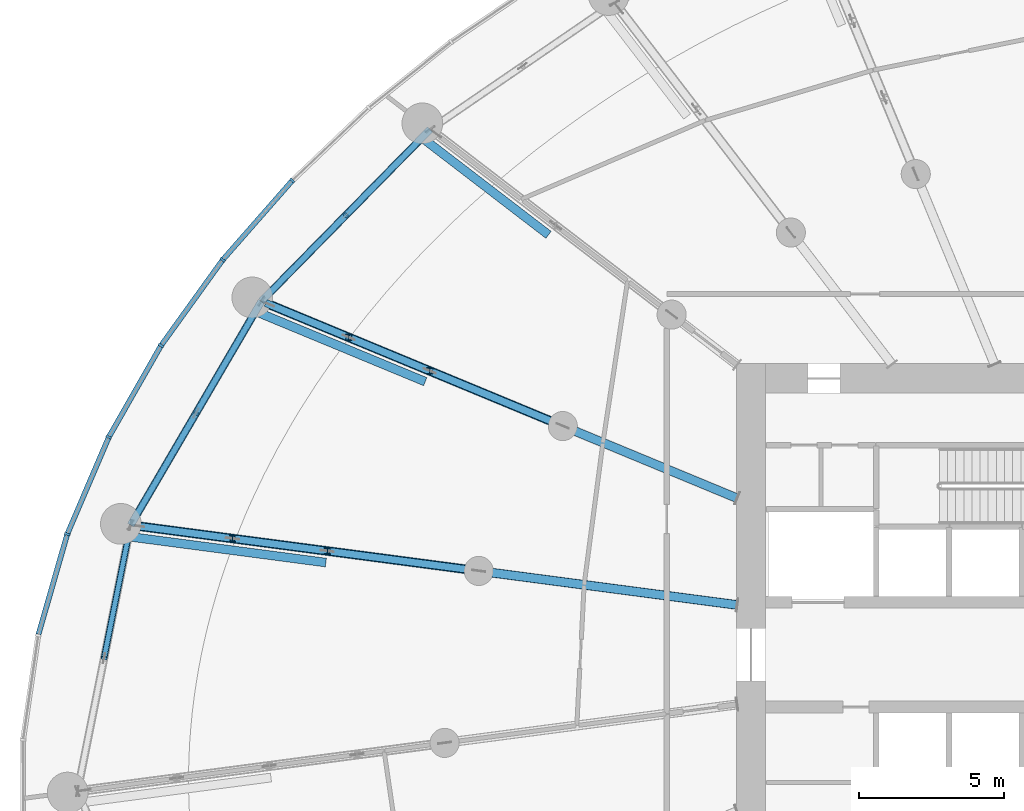
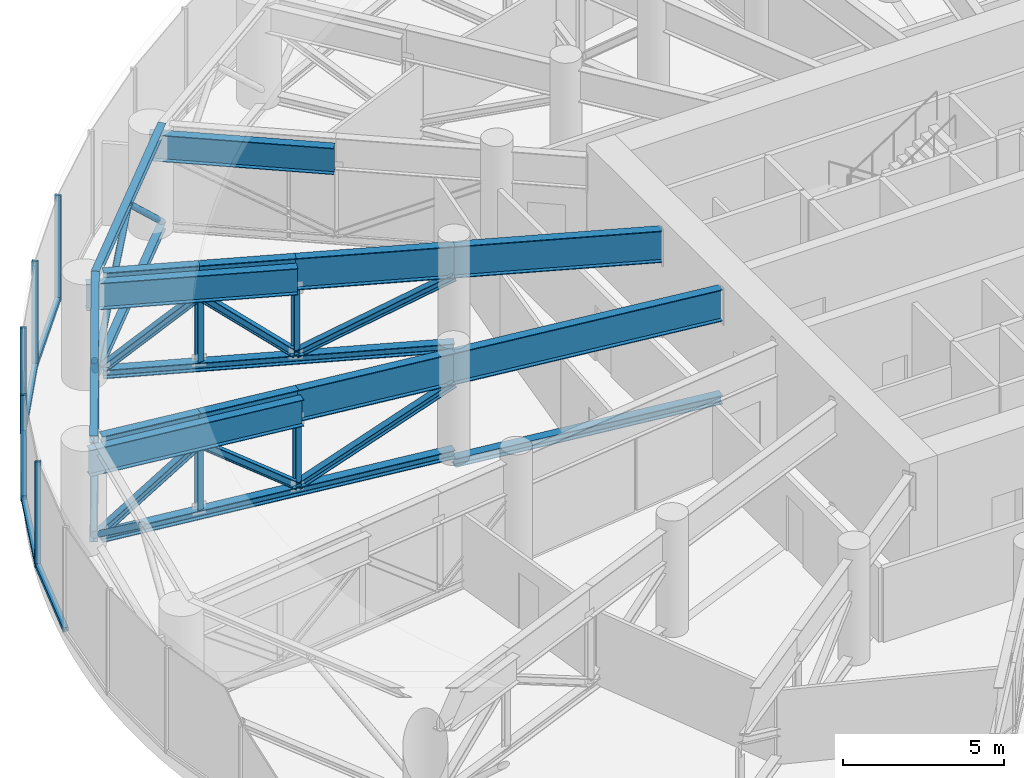
# One storey, part 10 of 42: 32 members, 11 beams, 2 elements without a shape of their own.
"""IFC4 building model written with IfcOpenShell, lengths in metres."""

import ifcopenshell
import ifcopenshell.guid

model = None  # the IFC model being written
_history = None  # IfcOwnerHistory: only IFC2X3 demands one
_inside = {}  # id of a spatial element -> (the spatial element, [elements in it])
_under = {}  # id of a project, library or spatial element -> (it, [spatial elements below it])
_declared = {}  # id of a project -> (the project, [libraries it declares])
_typed = {}  # id of a type object -> (the type object, [elements of that type])
_made_of = {}  # id of a material, layer set ... -> (it, [elements and type objects made of it])


def new_model(schema):
    """Start an empty IFC model of exactly this schema.

    Asked for "IFC4X3", IfcOpenShell would pick the latest addendum, in which some entities
    have other attributes; the version numbers below select the first issue.
    IFC2X3 requires an IfcOwnerHistory on every rooted entity: one is made here for all.
    """
    global model, _history
    if schema == "IFC4X3":
        model = ifcopenshell.file(schema_version=(4, 3, 0, 0))
    else:
        model = ifcopenshell.file(schema=schema)
    _inside.clear()
    _under.clear()
    _declared.clear()
    _typed.clear()
    _made_of.clear()
    _history = None
    if model.schema == "IFC2X3":
        org = make("IfcOrganization", Name="unknown")
        user = make(
            "IfcPersonAndOrganization",
            ThePerson=make("IfcPerson", FamilyName="unknown"),
            TheOrganization=org,
        )
        app = make(
            "IfcApplication",
            ApplicationDeveloper=org,
            Version="unknown",
            ApplicationFullName="unknown",
            ApplicationIdentifier="unknown",
        )
        _history = make(
            "IfcOwnerHistory",
            OwningUser=user,
            OwningApplication=app,
            ChangeAction="ADDED",
            CreationDate=0,
        )
    return model


def make(cls, **values):
    """One entity of the class cls with the attributes given. An attribute that is None is left unset."""
    return model.create_entity(
        cls, **{name: value for name, value in values.items() if value is not None}
    )


def rooted(cls, **values):
    """An entity with a GlobalId (a new one), such as an element, a storey or a relation."""
    return make(cls, GlobalId=ifcopenshell.guid.new(), OwnerHistory=_history, **values)


def si_unit(unit_type, name, prefix=None):
    """IfcSIUnit, for example si_unit("LENGTHUNIT", "METRE", prefix="MILLI")."""
    return make("IfcSIUnit", UnitType=unit_type, Prefix=prefix, Name=name)


def assignment(units):
    """IfcUnitAssignment: the units of a project."""
    return None if units is None else make("IfcUnitAssignment", Units=units)


def point(xyz):
    """IfcCartesianPoint."""
    return None if xyz is None else make("IfcCartesianPoint", Coordinates=xyz)


def direction(xyz):
    """IfcDirection."""
    return None if xyz is None else make("IfcDirection", DirectionRatios=xyz)


def frame(location, z_axis=None, x_axis=None):
    """IfcAxis2Placement3D, a coordinate frame: its origin and axes. An axis left out is left unset."""
    return make(
        "IfcAxis2Placement3D",
        Location=point(location),
        Axis=direction(z_axis),
        RefDirection=direction(x_axis),
    )


def frame_2d(location, x_axis=None):
    """IfcAxis2Placement2D, a coordinate frame in the plane: its origin and x axis."""
    return make(
        "IfcAxis2Placement2D", Location=point(location), RefDirection=direction(x_axis)
    )


def origin():
    """The frame at (0, 0, 0) with its axes left unset."""
    return frame((0.0, 0.0, 0.0))


def origin_2d():
    """The frame at (0, 0) in the plane with its x axis left unset."""
    return frame_2d((0.0, 0.0))


def place(relative_to, where):
    """IfcLocalPlacement: puts the frame where relative to a parent placement (None: the world)."""
    return make(
        "IfcLocalPlacement", PlacementRelTo=relative_to, RelativePlacement=where
    )


def context(
    kind, dimensions, precision=None, world=None, true_north=None, identifier=None
):
    """IfcGeometricRepresentationContext, for example the 3D "Model" context."""
    return make(
        "IfcGeometricRepresentationContext",
        ContextIdentifier=identifier,
        ContextType=kind,
        CoordinateSpaceDimension=dimensions,
        Precision=precision,
        WorldCoordinateSystem=world,
        TrueNorth=true_north,
    )


def subcontext(parent, identifier, kind, view, scale=None):
    """IfcGeometricRepresentationSubContext, for example "Body" below "Model"."""
    return make(
        "IfcGeometricRepresentationSubContext",
        ContextIdentifier=identifier,
        ContextType=kind,
        ParentContext=parent,
        TargetScale=scale,
        TargetView=view,
    )


def project(units=None, contexts=None):
    """IfcProject with its units and contexts."""
    return rooted(
        "IfcProject",
        Name="project",
        RepresentationContexts=contexts,
        UnitsInContext=assignment(units),
    )


def spatial(cls, under=None, at=None, **own):
    """A site, building, storey or space (cls), placed at a placement, below another one or the project."""
    s = rooted(cls, ObjectPlacement=at, **own)
    if under is not None:
        _under.setdefault(under.id(), (under, []))[1].append(s)
    return s


def profile(cls, at=None, kind="AREA", **sizes):
    """A parametric profile (cls). Its sizes go by their IFC names, for example OverallWidth=200.0."""
    return make(cls, ProfileType=kind, Position=at, **sizes)


def rectangle(**sizes):
    """IfcRectangleProfileDef."""
    return profile("IfcRectangleProfileDef", **sizes)


def hollow_circle(**sizes):
    """IfcCircleHollowProfileDef."""
    return profile("IfcCircleHollowProfileDef", **sizes)


def i_section(**sizes):
    """IfcIShapeProfileDef."""
    return profile("IfcIShapeProfileDef", **sizes)


def extrude(swept, where, along, depth):
    """IfcExtrudedAreaSolid: the profile swept, set in the frame where, extruded along a direction by depth."""
    return make(
        "IfcExtrudedAreaSolid",
        SweptArea=swept,
        Position=where,
        ExtrudedDirection=direction(along),
        Depth=depth,
    )


def shape(context_of_items, identifier, shape_type, items):
    """IfcShapeRepresentation: the items that make up one representation, for example the "Body"."""
    return make(
        "IfcShapeRepresentation",
        ContextOfItems=context_of_items,
        RepresentationIdentifier=identifier,
        RepresentationType=shape_type,
        Items=items,
    )


def source(mapping_origin, context_of_items, identifier, shape_type, items):
    """IfcRepresentationMap: a shape defined once, which mapped items show again and again."""
    return make(
        "IfcRepresentationMap",
        MappingOrigin=mapping_origin,
        MappedRepresentation=shape(context_of_items, identifier, shape_type, items),
    )


def transform(
    local_origin,
    x_axis=None,
    y_axis=None,
    z_axis=None,
    scale=None,
    scale2=None,
    scale3=None,
    uniform=True,
):
    """IfcCartesianTransformationOperator3D, or its non-uniform kind. x_axis, y_axis, z_axis: its Axis1, 2, 3."""
    if uniform:
        return make(
            "IfcCartesianTransformationOperator3D",
            Axis1=direction(x_axis),
            Axis2=direction(y_axis),
            LocalOrigin=point(local_origin),
            Scale=scale,
            Axis3=direction(z_axis),
        )
    return make(
        "IfcCartesianTransformationOperator3DnonUniform",
        Axis1=direction(x_axis),
        Axis2=direction(y_axis),
        LocalOrigin=point(local_origin),
        Scale=scale,
        Axis3=direction(z_axis),
        Scale2=scale2,
        Scale3=scale3,
    )


def mapped(mapping_source, mapping_target):
    """IfcMappedItem: shows the shape of a source again, moved by a transform."""
    return make(
        "IfcMappedItem", MappingSource=mapping_source, MappingTarget=mapping_target
    )


def material(Name=None, Category=None):
    """IfcMaterial."""
    return make("IfcMaterial", Name=Name, Category=Category)


def layer(
    of_material, thickness, ventilated=None, Name=None, Category=None, Priority=None
):
    """IfcMaterialLayer: one layer of a wall or slab, of a material (None: an air gap)."""
    return make(
        "IfcMaterialLayer",
        Material=of_material,
        LayerThickness=thickness,
        IsVentilated=ventilated,
        Name=Name,
        Category=Category,
        Priority=Priority,
    )


def layer_set(layers, Name=None):
    """IfcMaterialLayerSet."""
    return make("IfcMaterialLayerSet", MaterialLayers=layers, LayerSetName=Name)


def material_profile(
    of_material, cross_section, Name=None, Category=None, Priority=None
):
    """IfcMaterialProfile: a cross section and its material."""
    return make(
        "IfcMaterialProfile",
        Name=Name,
        Material=of_material,
        Profile=cross_section,
        Priority=Priority,
        Category=Category,
    )


def profile_set(profiles, Name=None, composite=None):
    """IfcMaterialProfileSet."""
    return make(
        "IfcMaterialProfileSet",
        Name=Name,
        MaterialProfiles=profiles,
        CompositeProfile=composite,
    )


def made_of(thing, what):
    """Note that an element or type object is made of a material, layer set ...; save() writes the relation."""
    if what is not None:
        _made_of.setdefault(what.id(), (what, []))[1].append(thing)
    return thing


def type_object(cls, material=None, **own):
    """A type object (cls), such as IfcWallType, which elements share."""
    return made_of(rooted(cls, **own), material)


def element(
    cls,
    number,
    at=None,
    inside=None,
    cuts=None,
    type_object=None,
    material=None,
    context=None,
    identifier="Body",
    shape_type=None,
    held_by="IfcProductDefinitionShape",
    body=None,
    shapes=None,
    **own,
):
    """One element of the class cls, such as IfcWall. Its Tag is "e" and its number.

    at: its placement. inside: the storey or other place that contains it. cuts: it is an
    opening in that element (IfcRelVoidsElement). A single representation is given by context,
    identifier, shape_type and body (its items); several are given by shapes. held_by: the class
    of the entity that holds the representations. save() writes the other relations.
    """
    e = rooted(cls, Tag="e%d" % number, ObjectPlacement=at, **own)
    if body is not None:
        shapes = [shape(context, identifier, shape_type, body)]
    if shapes is not None:
        e.Representation = make(held_by, Representations=shapes)
    if inside is not None:
        _inside.setdefault(inside.id(), (inside, []))[1].append(e)
    if cuts is not None:
        rooted(
            "IfcRelVoidsElement", RelatingBuildingElement=cuts, RelatedOpeningElement=e
        )
    if type_object is not None:
        _typed.setdefault(type_object.id(), (type_object, []))[1].append(e)
    return made_of(e, material)


def aggregate(whole, parts):
    """IfcRelAggregates: a whole, such as a stair, and the parts it consists of."""
    return rooted("IfcRelAggregates", RelatingObject=whole, RelatedObjects=parts)


def save(model, path):
    """Write the relations noted so far, then the file.

    IfcRelAggregates (storeys below a building ...), IfcRelContainedInSpatialStructure (elements
    in a storey), IfcRelDefinesByType, IfcRelAssociatesMaterial and IfcRelDeclares: one each for
    every whole, place, type object, material and project.
    """
    for whole, parts in _under.values():
        aggregate(whole, parts)
    for where, things in _inside.values():
        rooted(
            "IfcRelContainedInSpatialStructure",
            RelatedElements=things,
            RelatingStructure=where,
        )
    for kind, things in _typed.values():
        rooted("IfcRelDefinesByType", RelatedObjects=things, RelatingType=kind)
    for what, things in _made_of.values():
        rooted("IfcRelAssociatesMaterial", RelatedObjects=things, RelatingMaterial=what)
    for by, libraries in _declared.values():
        rooted("IfcRelDeclares", RelatingContext=by, RelatedDefinitions=libraries)
    model.write(path)


model = new_model("IFC4")

# Units and contexts
model_context = context("Model", 3, precision=1e-05, world=origin(), true_north=direction((0.0, 1.0)))
body_context = subcontext(model_context, "Body", "Model", "MODEL_VIEW")
ifc_project = project(units=[si_unit("LENGTHUNIT", "METRE"), si_unit("AREAUNIT", "SQUARE_METRE"), si_unit("VOLUMEUNIT", "CUBIC_METRE"), si_unit("PLANEANGLEUNIT", "RADIAN"), si_unit("MASSUNIT", "GRAM", prefix="KILO")], contexts=[model_context])

# Site, building, storey
site_placement = place(None, origin())
site = spatial("IfcSite", under=ifc_project, at=site_placement, CompositionType="ELEMENT")
building_placement = place(site_placement, origin())
building = spatial("IfcBuilding", under=site, at=building_placement, Name="Spindrift Exchange Tower", CompositionType="ELEMENT")
storey_placement = place(building_placement, frame((0.0, 0.0, 75.39990234375)))
storey = spatial("IfcBuildingStorey", under=building, at=storey_placement, Name="L17", CompositionType="ELEMENT", Elevation=75.39990234375)

# Members
ifc_material_1 = material(Name="Steel Grade 300", Category="steel")
ifc_material_profile_1 = material_profile(ifc_material_1, i_section(OverallWidth=0.205078125, OverallDepth=0.2099609375, WebThickness=0.00927734375, FlangeThickness=0.01416015625, FilletRadius=0.012939453125, at=origin_2d()), Name="200UC59.5")
ifc_profile_set_1 = profile_set([ifc_material_profile_1], Name="Steel Grade 300")
member_type_1 = type_object("IfcMemberType", Name="Outrigger Truss Post 200UC59.5 Steel Grade 300", PredefinedType="POST", material=ifc_profile_set_1)
shared_shape_1 = source(origin(), body_context, "Body", "SweptSolid", [
    extrude(i_section(OverallWidth=0.205078125, OverallDepth=0.2099609375, WebThickness=0.00927734375, FlangeThickness=0.01416015625, FilletRadius=0.012939453125, at=origin_2d()), origin(), (0.0, 0.0, 1.0), 2.472900390625),
])
for number, where, z_axis, x_axis, name in (
    (1, (28.4521484375, 57.75390625, 0.3271484375), (0.0, 0.0, 1.0), (1.0, 0.0, 0.0), "L17 outrigger truss 11 post 2"),
    (2, (25.671875, 58.905517578125, 0.3271484375), (0.0, 0.0, 1.0), (1.0, 0.0, 0.0), "L17 outrigger truss 11 post 3"),
    (3, (24.935546875, 51.56298828125, 0.3271484375), (0.0, 0.0, 1.0), (1.0, 0.0, 0.0), "L17 outrigger truss 12 post 2"),
    (4, (21.6748046875, 51.992431640625, 0.3271484375), (0.0, 0.0, 1.0), (1.0, 0.0, 0.0), "L17 outrigger truss 12 post 3"),
):
    element("IfcMember", number, at=place(storey_placement, frame(where, z_axis=z_axis, x_axis=x_axis)), inside=storey, type_object=member_type_1, Name=name, PredefinedType="POST", context=body_context, shape_type="MappedRepresentation", body=[
        mapped(shared_shape_1, transform((0.0, 0.0, 0.0), scale=1.0)),
    ])

# Beams
ifc_material_profile_2 = material_profile(ifc_material_1, i_section(OverallWidth=0.300048828125, OverallDepth=1.199951171875, WebThickness=0.011962890625, FlangeThickness=0.028076171875, at=origin_2d()), Name="1200WB249")
ifc_profile_set_2 = profile_set([ifc_material_profile_2], Name="Steel Grade 300")
beam_type_1 = type_object("IfcBeamType", Name="Outrigger Truss Transfer Girder 1200WB249 Steel Grade 300", PredefinedType="BEAM", material=ifc_profile_set_2)
shared_shape_2 = source(origin(), body_context, "Body", "SweptSolid", [
    extrude(i_section(OverallWidth=0.300048828125, OverallDepth=1.199951171875, WebThickness=0.011962890625, FlangeThickness=0.028076171875, at=origin_2d()), origin(), (0.0, 0.0, 1.0), 6.484619140625),
])
beam_1_placement = place(storey_placement, frame((39.0185546875, 53.377197265625, 3.400146484375), z_axis=(-0.923884678616, 0.382671008332, 0.0), x_axis=(-0.382671008332, -0.923884678616, 0.0)))
element("IfcBeam", 5, at=beam_1_placement, inside=storey, type_object=beam_type_1, Name="L17 outrigger truss 11 top chord 1", PredefinedType="BEAM", context=body_context, shape_type="MappedRepresentation", body=[
    mapped(shared_shape_2, transform((0.0, 0.0, 0.0), scale=1.0)),
])
shared_shape_3 = source(origin(), body_context, "Body", "SweptSolid", [
    extrude(i_section(OverallWidth=0.300048828125, OverallDepth=1.199951171875, WebThickness=0.011962890625, FlangeThickness=0.028076171875, at=origin_2d()), origin(), (0.0, 0.0, 1.0), 4.952392578125),
])
beam_2_placement = place(storey_placement, frame((33.027587890625, 55.858642578125, 3.400146484375), z_axis=(-0.923875634829, 0.382692842067, 0.0), x_axis=(-0.382692842067, -0.923875634829, 0.0)))
element("IfcBeam", 6, at=beam_2_placement, inside=storey, type_object=beam_type_1, Name="L17 outrigger truss 11 top chord 2", PredefinedType="BEAM", context=body_context, shape_type="MappedRepresentation", body=[
    mapped(shared_shape_3, transform((0.0, 0.0, 0.0), scale=1.0)),
])

# Members
ifc_material_profile_3 = material_profile(ifc_material_1, i_section(OverallWidth=0.31103515625, OverallDepth=0.326904296875, WebThickness=0.015625, FlangeThickness=0.02490234375, FilletRadius=0.0166015625, at=origin_2d()), Name="310UC158")
ifc_profile_set_3 = profile_set([ifc_material_profile_3], Name="Steel Grade 300")
member_type_2 = type_object("IfcMemberType", Name="Outrigger Truss Chord 310UC158 Steel Grade 300", PredefinedType="CHORD", material=ifc_profile_set_3)
shared_shape_4 = source(origin(), body_context, "Body", "SweptSolid", [
    extrude(i_section(OverallWidth=0.31103515625, OverallDepth=0.326904296875, WebThickness=0.015625, FlangeThickness=0.02490234375, FilletRadius=0.0166015625, at=origin_2d()), origin(), (0.0, 0.0, 1.0), 10.971435546875),
])
member_1_placement = place(storey_placement, frame((33.027587890625, 55.858642578125, 0.16357421875), z_axis=(-0.923882039717, 0.382677379378, 0.0), x_axis=(-0.382677379378, -0.923882039717, 0.0)))
element("IfcMember", 7, at=member_1_placement, inside=storey, type_object=member_type_2, Name="L17 outrigger truss 11 bottom chord 2", PredefinedType="CHORD", context=body_context, shape_type="MappedRepresentation", body=[
    mapped(shared_shape_4, transform((0.0, 0.0, 0.0), scale=1.0)),
])
ifc_material_profile_4 = material_profile(ifc_material_1, i_section(OverallWidth=0.256103515625, OverallDepth=0.260009765625, WebThickness=0.010498046875, FlangeThickness=0.017333984375, FilletRadius=0.011962890625, at=origin_2d()), Name="250UC89.5")
ifc_profile_set_4 = profile_set([ifc_material_profile_4], Name="Steel Grade 300")
member_type_3 = type_object("IfcMemberType", Name="Outrigger Truss Diagonal 250UC89.5 Steel Grade 300", PredefinedType="BRACE", material=ifc_profile_set_4)
shared_shape_5 = source(origin(), body_context, "Body", "SweptSolid", [
    extrude(i_section(OverallWidth=0.256103515625, OverallDepth=0.260009765625, WebThickness=0.010498046875, FlangeThickness=0.017333984375, FilletRadius=0.011962890625, at=origin_2d()), origin(), (0.0, 0.0, 1.0), 5.535400390625),
])
member_2_placement = place(storey_placement, frame((33.027587890625, 55.858642578125, 2.800048828125), z_axis=(-0.826561015802, 0.342382645839, -0.446733713732), x_axis=(-0.382692842067, -0.923875634829, 0.0)))
element("IfcMember", 8, at=member_2_placement, inside=storey, type_object=member_type_3, Name="L17 outrigger truss 11 diagonal 2", PredefinedType="BRACE", context=body_context, shape_type="MappedRepresentation", body=[
    mapped(shared_shape_5, transform((0.0, 0.0, 0.0), scale=1.0)),
])

# Beam
shared_shape_6 = source(origin(), body_context, "Body", "SweptSolid", [
    extrude(i_section(OverallWidth=0.300048828125, OverallDepth=1.199951171875, WebThickness=0.011962890625, FlangeThickness=0.028076171875, at=origin_2d()), origin(), (0.0, 0.0, 1.0), 3.00927734375),
])
beam_3_placement = place(storey_placement, frame((28.4521484375, 57.75390625, 3.400146484375), z_axis=(-0.923881369595, 0.382678997223, 0.0), x_axis=(-0.382678997223, -0.923881369595, 0.0)))
element("IfcBeam", 9, at=beam_3_placement, inside=storey, type_object=beam_type_1, Name="L17 outrigger truss 11 top chord 3", PredefinedType="BEAM", context=body_context, shape_type="MappedRepresentation", body=[
    mapped(shared_shape_6, transform((0.0, 0.0, 0.0), scale=1.0)),
])

# Member
shared_shape_7 = source(origin(), body_context, "Body", "SweptSolid", [
    extrude(i_section(OverallWidth=0.256103515625, OverallDepth=0.260009765625, WebThickness=0.010498046875, FlangeThickness=0.017333984375, FilletRadius=0.011962890625, at=origin_2d()), origin(), (0.0, 0.0, 1.0), 3.89501953125),
])
member_3_placement = place(storey_placement, frame((28.4521484375, 57.75390625, 0.3271484375), z_axis=(-0.713797753178, 0.295660695622, 0.634883863886), x_axis=(-0.382678997223, -0.923881369595, 0.0)))
element("IfcMember", 10, at=member_3_placement, inside=storey, type_object=member_type_3, Name="L17 outrigger truss 11 diagonal 3", PredefinedType="BRACE", context=body_context, shape_type="MappedRepresentation", body=[
    mapped(shared_shape_7, transform((0.0, 0.0, 0.0), scale=1.0)),
])

# Beam
shared_shape_8 = source(origin(), body_context, "Body", "SweptSolid", [
    extrude(i_section(OverallWidth=0.300048828125, OverallDepth=1.199951171875, WebThickness=0.011962890625, FlangeThickness=0.028076171875, at=origin_2d()), origin(), (0.0, 0.0, 1.0), 3.009521484375),
])
beam_4_placement = place(storey_placement, frame((25.671875, 58.905517578125, 3.400146484375), z_axis=(-0.923893248849, 0.382650316518, 0.0), x_axis=(-0.382650316518, -0.923893248849, 0.0)))
element("IfcBeam", 11, at=beam_4_placement, inside=storey, type_object=beam_type_1, Name="L17 outrigger truss 11 top chord 4", PredefinedType="BEAM", context=body_context, shape_type="MappedRepresentation", body=[
    mapped(shared_shape_8, transform((0.0, 0.0, 0.0), scale=1.0)),
])

# Member
shared_shape_9 = source(origin(), body_context, "Body", "SweptSolid", [
    extrude(i_section(OverallWidth=0.256103515625, OverallDepth=0.260009765625, WebThickness=0.010498046875, FlangeThickness=0.017333984375, FilletRadius=0.011962890625, at=origin_2d()), origin(), (0.0, 0.0, 1.0), 3.895263671875),
])
member_4_placement = place(storey_placement, frame((25.671875, 58.905517578125, 2.800048828125), z_axis=(-0.713828495111, 0.295647467858, -0.634855459389), x_axis=(-0.382650316518, -0.923893248849, 0.0)))
element("IfcMember", 12, at=member_4_placement, inside=storey, type_object=member_type_3, Name="L17 outrigger truss 11 diagonal 4", PredefinedType="BRACE", context=body_context, shape_type="MappedRepresentation", body=[
    mapped(shared_shape_9, transform((0.0, 0.0, 0.0), scale=1.0)),
])

# Beam
shared_shape_10 = source(origin(), body_context, "Body", "SweptSolid", [
    extrude(i_section(OverallWidth=0.300048828125, OverallDepth=1.199951171875, WebThickness=0.011962890625, FlangeThickness=0.028076171875, at=origin_2d()), origin(), (0.0, 0.0, 1.0), 8.959716796875),
])
beam_5_placement = place(storey_placement, frame((39.019775390625, 49.708984375, 3.400146484375), z_axis=(-0.991445482422, 0.130521474806, 0.0), x_axis=(-0.130521474806, -0.991445482422, 0.0)))
element("IfcBeam", 13, at=beam_5_placement, inside=storey, type_object=beam_type_1, Name="L17 outrigger truss 12 top chord 1", PredefinedType="BEAM", context=body_context, shape_type="MappedRepresentation", body=[
    mapped(shared_shape_10, transform((0.0, 0.0, 0.0), scale=1.0)),
])

# Member
shared_shape_11 = source(origin(), body_context, "Body", "SweptSolid", [
    extrude(i_section(OverallWidth=0.31103515625, OverallDepth=0.326904296875, WebThickness=0.015625, FlangeThickness=0.02490234375, FilletRadius=0.0166015625, at=origin_2d()), origin(), (0.0, 0.0, 1.0), 8.959716796875),
])
member_5_placement = place(storey_placement, frame((39.019775390625, 49.708984375, -0.163330078125), z_axis=(-0.991445482422, 0.130521474806, 0.0), x_axis=(-0.130521474806, -0.991445482422, 0.0)))
element("IfcMember", 14, at=member_5_placement, inside=storey, type_object=member_type_2, Name="L17 outrigger truss 12 bottom chord 1", PredefinedType="CHORD", context=body_context, shape_type="MappedRepresentation", body=[
    mapped(shared_shape_11, transform((0.0, 0.0, 0.0), scale=1.0)),
])

# Beam
shared_shape_12 = source(origin(), body_context, "Body", "SweptSolid", [
    extrude(i_section(OverallWidth=0.300048828125, OverallDepth=1.199951171875, WebThickness=0.011962890625, FlangeThickness=0.028076171875, at=origin_2d()), origin(), (0.0, 0.0, 1.0), 5.24609375),
])
beam_6_placement = place(storey_placement, frame((30.13671875, 50.87841796875, 3.400146484375), z_axis=(-0.991449225967, 0.130493035562, 0.0), x_axis=(-0.130493035562, -0.991449225967, 0.0)))
element("IfcBeam", 15, at=beam_6_placement, inside=storey, type_object=beam_type_1, Name="L17 outrigger truss 12 top chord 2", PredefinedType="BEAM", context=body_context, shape_type="MappedRepresentation", body=[
    mapped(shared_shape_12, transform((0.0, 0.0, 0.0), scale=1.0)),
])

# Members
shared_shape_13 = source(origin(), body_context, "Body", "SweptSolid", [
    extrude(i_section(OverallWidth=0.31103515625, OverallDepth=0.326904296875, WebThickness=0.015625, FlangeThickness=0.02490234375, FilletRadius=0.0166015625, at=origin_2d()), origin(), (0.0, 0.0, 1.0), 11.823974609375),
])
member_6_placement = place(storey_placement, frame((30.13671875, 50.87841796875, 0.16357421875), z_axis=(-0.991446352236, 0.130514867495, 0.0), x_axis=(-0.130514867495, -0.991446352236, 0.0)))
element("IfcMember", 16, at=member_6_placement, inside=storey, type_object=member_type_2, Name="L17 outrigger truss 12 bottom chord 2", PredefinedType="CHORD", context=body_context, shape_type="MappedRepresentation", body=[
    mapped(shared_shape_13, transform((0.0, 0.0, 0.0), scale=1.0)),
])
shared_shape_14 = source(origin(), body_context, "Body", "SweptSolid", [
    extrude(i_section(OverallWidth=0.256103515625, OverallDepth=0.260009765625, WebThickness=0.010498046875, FlangeThickness=0.017333984375, FilletRadius=0.011962890625, at=origin_2d()), origin(), (0.0, 0.0, 1.0), 5.799560546875),
])
member_7_placement = place(storey_placement, frame((30.13671875, 50.87841796875, 2.800048828125), z_axis=(-0.896806268139, 0.118036273745, -0.42638709585), x_axis=(-0.130493035562, -0.991449225967, 0.0)))
element("IfcMember", 17, at=member_7_placement, inside=storey, type_object=member_type_3, Name="L17 outrigger truss 12 diagonal 2", PredefinedType="BRACE", context=body_context, shape_type="MappedRepresentation", body=[
    mapped(shared_shape_14, transform((0.0, 0.0, 0.0), scale=1.0)),
])

# Beam
shared_shape_15 = source(origin(), body_context, "Body", "SweptSolid", [
    extrude(i_section(OverallWidth=0.300048828125, OverallDepth=1.199951171875, WebThickness=0.011962890625, FlangeThickness=0.028076171875, at=origin_2d()), origin(), (0.0, 0.0, 1.0), 3.288818359375),
])
beam_7_placement = place(storey_placement, frame((24.935546875, 51.56298828125, 3.400146484375), z_axis=(-0.991438623433, 0.130573565335, 0.0), x_axis=(-0.130573565335, -0.991438623433, 0.0)))
element("IfcBeam", 18, at=beam_7_placement, inside=storey, type_object=beam_type_1, Name="L17 outrigger truss 12 top chord 3", PredefinedType="BEAM", context=body_context, shape_type="MappedRepresentation", body=[
    mapped(shared_shape_15, transform((0.0, 0.0, 0.0), scale=1.0)),
])

# Member
shared_shape_16 = source(origin(), body_context, "Body", "SweptSolid", [
    extrude(i_section(OverallWidth=0.256103515625, OverallDepth=0.260009765625, WebThickness=0.010498046875, FlangeThickness=0.017333984375, FilletRadius=0.011962890625, at=origin_2d()), origin(), (0.0, 0.0, 1.0), 4.11474609375),
])
member_8_placement = place(storey_placement, frame((24.935546875, 51.56298828125, 0.3271484375), z_axis=(-0.792430314964, 0.104363950586, 0.600967854168), x_axis=(-0.130573565335, -0.991438623433, 0.0)))
element("IfcMember", 19, at=member_8_placement, inside=storey, type_object=member_type_3, Name="L17 outrigger truss 12 diagonal 3", PredefinedType="BRACE", context=body_context, shape_type="MappedRepresentation", body=[
    mapped(shared_shape_16, transform((0.0, 0.0, 0.0), scale=1.0)),
])

# Beam
shared_shape_17 = source(origin(), body_context, "Body", "SweptSolid", [
    extrude(i_section(OverallWidth=0.300048828125, OverallDepth=1.199951171875, WebThickness=0.011962890625, FlangeThickness=0.028076171875, at=origin_2d()), origin(), (0.0, 0.0, 1.0), 3.2890625),
])
beam_8_placement = place(storey_placement, frame((21.6748046875, 51.992431640625, 3.400146484375), z_axis=(-0.991449494626, 0.130490994351, 0.0), x_axis=(-0.130490994351, -0.991449494626, 0.0)))
element("IfcBeam", 20, at=beam_8_placement, inside=storey, type_object=beam_type_1, Name="L17 outrigger truss 12 top chord 4", PredefinedType="BEAM", context=body_context, shape_type="MappedRepresentation", body=[
    mapped(shared_shape_17, transform((0.0, 0.0, 0.0), scale=1.0)),
])

# Members
shared_shape_18 = source(origin(), body_context, "Body", "SweptSolid", [
    extrude(i_section(OverallWidth=0.256103515625, OverallDepth=0.260009765625, WebThickness=0.010498046875, FlangeThickness=0.017333984375, FilletRadius=0.011962890625, at=origin_2d()), origin(), (0.0, 0.0, 1.0), 4.114990234375),
])
member_9_placement = place(storey_placement, frame((21.6748046875, 51.992431640625, 2.800048828125), z_axis=(-0.79245729301, 0.104300360943, -0.600943319675), x_axis=(-0.130490994351, -0.991449494626, 0.0)))
element("IfcMember", 21, at=member_9_placement, inside=storey, type_object=member_type_3, Name="L17 outrigger truss 12 diagonal 4", PredefinedType="BRACE", context=body_context, shape_type="MappedRepresentation", body=[
    mapped(shared_shape_18, transform((0.0, 0.0, 0.0), scale=1.0)),
])
ifc_material_profile_5 = material_profile(ifc_material_1, i_section(OverallWidth=0.256103515625, OverallDepth=0.260009765625, WebThickness=0.010498046875, FlangeThickness=0.017333984375, FilletRadius=0.011962890625, at=origin_2d()), Name="250UC89.5")
ifc_profile_set_5 = profile_set([ifc_material_profile_5], Name="Steel Grade 300")
member_type_4 = type_object("IfcMemberType", Name="Belt Truss Chord 250UC89.5 Steel Grade 300", PredefinedType="CHORD", material=ifc_profile_set_5)
shared_shape_19 = source(origin(), body_context, "Body", "SweptSolid", [
    extrude(i_section(OverallWidth=0.256103515625, OverallDepth=0.260009765625, WebThickness=0.010498046875, FlangeThickness=0.017333984375, FilletRadius=0.011962890625, at=origin_2d()), origin(), (0.0, 0.0, 1.0), 8.27783203125),
])
for number, where, z_axis, x_axis, name in (
    (22, (28.468994140625, 66.055908203125, 3.8701171875), (-0.700588441745, -0.713565578832, 0.0), (0.713565578832, -0.700588441745, 0.0), "L17 belt truss 10 top chord"),
    (23, (28.468994140625, 66.055908203125, 0.130126953125), (-0.700588441745, -0.713565578832, 0.0), (0.713565578832, -0.700588441745, 0.0), "L17 belt truss 10 bottom chord"),
):
    element("IfcMember", number, at=place(storey_placement, frame(where, z_axis=z_axis, x_axis=x_axis)), inside=storey, type_object=member_type_4, Name=name, PredefinedType="CHORD", context=body_context, shape_type="MappedRepresentation", body=[
        mapped(shared_shape_19, transform((0.0, 0.0, 0.0), scale=1.0)),
    ])
ifc_material_2 = material(Name="Steel Grade 350", Category="steel")
ifc_material_profile_6 = material_profile(ifc_material_2, hollow_circle(Radius=0.109619140625, WallThickness=0.00830078125, at=origin_2d()), Name="219.1x8.2CHS")
ifc_profile_set_6 = profile_set([ifc_material_profile_6], Name="Steel Grade 350")
member_type_5 = type_object("IfcMemberType", Name="Belt Truss Diagonal 219.1x8.2CHS Steel Grade 350", PredefinedType="BRACE", material=ifc_profile_set_6)
shared_shape_20 = source(origin(), body_context, "Body", "SweptSolid", [
    extrude(hollow_circle(Radius=0.109619140625, WallThickness=0.00830078125, at=origin_2d()), origin(), (0.0, 0.0, 1.0), 5.407470703125),
])
for number, where, z_axis, x_axis, name in (
    (24, (28.468994140625, 66.055908203125, 0.260009765625), (-0.53623251093, -0.546165250881, 0.643551251224), (0.713565578832, -0.700588441745, 0.0), "L17 belt truss 10 diagonal 1"),
    (25, (25.5693359375, 63.1025390625, 3.739990234375), (-0.53623251093, -0.546165250881, -0.643551251224), (0.713565578832, -0.700588441745, 0.0), "L17 belt truss 10 diagonal 2"),
):
    element("IfcMember", number, at=place(storey_placement, frame(where, z_axis=z_axis, x_axis=x_axis)), inside=storey, type_object=member_type_5, Name=name, PredefinedType="BRACE", context=body_context, shape_type="MappedRepresentation", body=[
        mapped(shared_shape_20, transform((0.0, 0.0, 0.0), scale=1.0)),
    ])
shared_shape_21 = source(origin(), body_context, "Body", "SweptSolid", [
    extrude(i_section(OverallWidth=0.256103515625, OverallDepth=0.260009765625, WebThickness=0.010498046875, FlangeThickness=0.017333984375, FilletRadius=0.011962890625, at=origin_2d()), origin(), (0.0, 0.0, 1.0), 8.912353515625),
])
for number, where, z_axis, x_axis, name in (
    (26, (22.669677734375, 60.149169921875, 3.8701171875), (-0.504238880853, -0.863564213615, 0.0), (0.863564213615, -0.504238880853, 0.0), "L17 belt truss 11 top chord"),
    (27, (22.669677734375, 60.149169921875, 0.130126953125), (-0.504238880853, -0.863564213615, 0.0), (0.863564213615, -0.504238880853, 0.0), "L17 belt truss 11 bottom chord"),
):
    element("IfcMember", number, at=place(storey_placement, frame(where, z_axis=z_axis, x_axis=x_axis)), inside=storey, type_object=member_type_4, Name=name, PredefinedType="CHORD", context=body_context, shape_type="MappedRepresentation", body=[
        mapped(shared_shape_21, transform((0.0, 0.0, 0.0), scale=1.0)),
    ])
shared_shape_22 = source(origin(), body_context, "Body", "SweptSolid", [
    extrude(hollow_circle(Radius=0.109619140625, WallThickness=0.00830078125, at=origin_2d()), origin(), (0.0, 0.0, 1.0), 5.65380859375),
])
member_10_placement = place(storey_placement, frame((22.669677734375, 60.149169921875, 0.260009765625), z_axis=(-0.397393276871, -0.680616410957, 0.615499703196), x_axis=(0.863576141995, -0.504218451642, 0.0)))
element("IfcMember", 28, at=member_10_placement, inside=storey, type_object=member_type_5, Name="L17 belt truss 11 diagonal 1", PredefinedType="BRACE", context=body_context, shape_type="MappedRepresentation", body=[
    mapped(shared_shape_22, transform((0.0, 0.0, 0.0), scale=1.0)),
])
shared_shape_23 = source(origin(), body_context, "Body", "SweptSolid", [
    extrude(hollow_circle(Radius=0.109619140625, WallThickness=0.00830078125, at=origin_2d()), origin(), (0.0, 0.0, 1.0), 5.654052734375),
])
member_11_placement = place(storey_placement, frame((20.4228515625, 56.301025390625, 3.739990234375), z_axis=(-0.397429637596, -0.680604731398, -0.615489141057), x_axis=(0.863552285081, -0.504259309217, 0.0)))
element("IfcMember", 29, at=member_11_placement, inside=storey, type_object=member_type_5, Name="L17 belt truss 11 diagonal 2", PredefinedType="BRACE", context=body_context, shape_type="MappedRepresentation", body=[
    mapped(shared_shape_23, transform((0.0, 0.0, 0.0), scale=1.0)),
])
shared_shape_24 = source(origin(), body_context, "Body", "SweptSolid", [
    extrude(hollow_circle(Radius=0.109619140625, WallThickness=0.00830078125, at=origin_2d()), origin(), (0.0, 0.0, 1.0), 5.819091796875),
])
member_12_placement = place(storey_placement, frame((18.17578125, 52.452880859375, 0.260009765625), z_axis=(-0.157165268981, -0.785910255886, 0.598033567553), x_axis=(0.980584702262, -0.19609600121, 0.0)))
element("IfcMember", 30, at=member_12_placement, inside=storey, type_object=member_type_5, Name="L17 belt truss 12 diagonal 1", PredefinedType="BRACE", context=body_context, shape_type="MappedRepresentation", body=[
    mapped(shared_shape_24, transform((0.0, 0.0, 0.0), scale=1.0)),
])

# Beams
ifc_material_profile_7 = material_profile(ifc_material_1, i_section(OverallWidth=0.300048828125, OverallDepth=1.0, WebThickness=0.010009765625, FlangeThickness=0.02001953125, at=origin_2d()), Name="1000WB215")
ifc_profile_set_7 = profile_set([ifc_material_profile_7], Name="Steel Grade 300")
beam_type_2 = type_object("IfcBeamType", Name="Transfer Tie Beam 1000WB215 Steel Grade 300", PredefinedType="BEAM", material=ifc_profile_set_7)
shared_shape_25 = source(origin(), body_context, "Body", "SweptSolid", [
    extrude(i_section(OverallWidth=0.300048828125, OverallDepth=1.0, WebThickness=0.010009765625, FlangeThickness=0.02001953125, at=origin_2d()), origin(), (0.0, 0.0, 1.0), 5.77392578125),
])
beam_9_placement = place(storey_placement, frame((27.955810546875, 65.945556640625, 3.400146484375), z_axis=(0.793360615822, -0.608751947236, 0.0), x_axis=(0.608751947236, 0.793360615822, 0.0)))
element("IfcBeam", 31, at=beam_9_placement, inside=storey, type_object=beam_type_2, Name="L17 transfer tie beam K10", PredefinedType="BEAM", context=body_context, shape_type="MappedRepresentation", body=[
    mapped(shared_shape_25, transform((0.0, 0.0, 0.0), scale=1.0)),
])
shared_shape_26 = source(origin(), body_context, "Body", "SweptSolid", [
    extrude(i_section(OverallWidth=0.300048828125, OverallDepth=1.0, WebThickness=0.010009765625, FlangeThickness=0.02001953125, at=origin_2d()), origin(), (0.0, 0.0, 1.0), 6.59912109375),
])
beam_10_placement = place(storey_placement, frame((22.202392578125, 59.90966796875, 3.400146484375), z_axis=(0.923876145736, -0.382691608661, 0.0), x_axis=(0.382691608661, 0.923876145736, 0.0)))
element("IfcBeam", 32, at=beam_10_placement, inside=storey, type_object=beam_type_2, Name="L17 transfer tie beam K11", PredefinedType="BEAM", context=body_context, shape_type="MappedRepresentation", body=[
    mapped(shared_shape_26, transform((0.0, 0.0, 0.0), scale=1.0)),
])
shared_shape_27 = source(origin(), body_context, "Body", "SweptSolid", [
    extrude(i_section(OverallWidth=0.300048828125, OverallDepth=1.0, WebThickness=0.010009765625, FlangeThickness=0.02001953125, at=origin_2d()), origin(), (0.0, 0.0, 1.0), 7.157958984375),
])
beam_11_placement = place(storey_placement, frame((17.78662109375, 52.100830078125, 3.400146484375), z_axis=(0.991444308748, -0.130530389761, 0.0), x_axis=(0.130530389761, 0.991444308748, 0.0)))
element("IfcBeam", 33, at=beam_11_placement, inside=storey, type_object=beam_type_2, Name="L17 transfer tie beam K12", PredefinedType="BEAM", context=body_context, shape_type="MappedRepresentation", body=[
    mapped(shared_shape_27, transform((0.0, 0.0, 0.0), scale=1.0)),
])

# Curtain wall, member
ifc_material_3 = material(Name="Fritted laminated glass with bronze frame", Category="glass")
ifc_layer = layer(ifc_material_3, 0.199951171875)
ifc_layer_set = layer_set([ifc_layer], Name="ZONE 1 BRONZE FRITTED WALL")
curtain_wall_type = type_object("IfcCurtainWallType", Name="ZONE 1 BRONZE FRITTED WALL", PredefinedType="NOTDEFINED", material=ifc_layer_set)
curtain_wall_1_placement = place(storey_placement, origin())
curtain_wall_1 = element("IfcCurtainWall", 34, at=curtain_wall_1_placement, inside=storey, type_object=curtain_wall_type, Name="L17 Zone 1 Bronze Fritted Wall run 5", PredefinedType="NOTDEFINED")
ifc_material_4 = material(Name="Bronze anodised aluminium", Category="aluminium")
ifc_material_profile_8 = material_profile(ifc_material_4, rectangle(XDim=0.179931640625, YDim=0.14990234375, at=origin_2d()), Name="ZONE 1 BRONZE FRITTED WALL TRANSOM 180X150")
ifc_profile_set_8 = profile_set([ifc_material_profile_8], Name="Bronze anodised aluminium")
member_type_6 = type_object("IfcMemberType", Name="ZONE 1 BRONZE FRITTED WALL TRANSOM 180X150", PredefinedType="USERDEFINED", material=ifc_profile_set_8)
shared_shape_28 = source(origin(), body_context, "Body", "SweptSolid", [
    extrude(rectangle(XDim=0.179931640625, YDim=0.14990234375, at=origin_2d()), origin(), (0.0, 0.0, 1.0), 3.545654296875),
])
member_13_placement = place(storey_placement, frame((15.98388671875, 52.105712890625, 0.0751953125), z_axis=(-0.276039506866, -0.961146289932, 0.0), x_axis=(0.961146289932, -0.276039506866, 0.0)))
member_13 = element("IfcMember", 35, at=member_13_placement, type_object=member_type_6, Name="L17 transom CW-1.26", ObjectType="TRANSOM", PredefinedType="USERDEFINED", context=body_context, shape_type="MappedRepresentation", body=[
    mapped(shared_shape_28, transform((0.0, 0.0, 0.0), scale=1.0)),
])

# Curtain wall, members
curtain_wall_2_placement = place(storey_placement, origin())
curtain_wall_2 = element("IfcCurtainWall", 36, at=curtain_wall_2_placement, inside=storey, type_object=curtain_wall_type, Name="L17 Zone 1 Bronze Fritted Wall run 4", PredefinedType="NOTDEFINED")
shared_shape_29 = source(origin(), body_context, "Body", "SweptSolid", [
    extrude(rectangle(XDim=0.179931640625, YDim=0.14990234375, at=origin_2d()), origin(), (0.0, 0.0, 1.0), 3.546142578125),
])
member_14_placement = place(storey_placement, frame((19.198974609375, 58.592529296875, 0.0751953125), z_axis=(-0.495612450584, -0.868543780604, 0.0), x_axis=(0.868543780604, -0.495612450584, 0.0)))
member_14 = element("IfcMember", 37, at=member_14_placement, type_object=member_type_6, Name="L17 transom CW-1.24", ObjectType="TRANSOM", PredefinedType="USERDEFINED", context=body_context, shape_type="MappedRepresentation", body=[
    mapped(shared_shape_29, transform((0.0, 0.0, 0.0), scale=1.0)),
])
shared_shape_30 = source(origin(), body_context, "Body", "SweptSolid", [
    extrude(rectangle(XDim=0.179931640625, YDim=0.14990234375, at=origin_2d()), origin(), (0.0, 0.0, 1.0), 3.546875),
])
member_15_placement = place(storey_placement, frame((21.313232421875, 61.5390625, 0.0751953125), z_axis=(-0.583911169746, -0.811817556995, 0.0), x_axis=(0.811817556995, -0.583911169746, 0.0)))
member_15 = element("IfcMember", 38, at=member_15_placement, type_object=member_type_6, Name="L17 transom CW-1.23", ObjectType="TRANSOM", PredefinedType="USERDEFINED", context=body_context, shape_type="MappedRepresentation", body=[
    mapped(shared_shape_30, transform((0.0, 0.0, 0.0), scale=1.0)),
])
shared_shape_31 = source(origin(), body_context, "Body", "SweptSolid", [
    extrude(rectangle(XDim=0.179931640625, YDim=0.14990234375, at=origin_2d()), origin(), (0.0, 0.0, 1.0), 3.547119140625),
])
member_16_placement = place(storey_placement, frame((23.70263671875, 64.267333984375, 0.0751953125), z_axis=(-0.659668450383, -0.751556741417, 0.0), x_axis=(0.751556741417, -0.659668450383, 0.0)))
member_16 = element("IfcMember", 39, at=member_16_placement, type_object=member_type_6, Name="L17 transom CW-1.22", ObjectType="TRANSOM", PredefinedType="USERDEFINED", context=body_context, shape_type="MappedRepresentation", body=[
    mapped(shared_shape_31, transform((0.0, 0.0, 0.0), scale=1.0)),
])

# Member
shared_shape_32 = source(origin(), body_context, "Body", "SweptSolid", [
    extrude(rectangle(XDim=0.179931640625, YDim=0.14990234375, at=origin_2d()), origin(), (0.0, 0.0, 1.0), 3.5458984375),
])
member_17_placement = place(storey_placement, frame((17.40576171875, 55.44091796875, 0.0751953125), z_axis=(-0.393412355779, -0.919362125781, 0.0), x_axis=(0.919362125781, -0.393412355779, 0.0)))
member_17 = element("IfcMember", 40, at=member_17_placement, type_object=member_type_6, Name="L17 transom CW-1.25", ObjectType="TRANSOM", PredefinedType="USERDEFINED", context=body_context, shape_type="MappedRepresentation", body=[
    mapped(shared_shape_32, transform((0.0, 0.0, 0.0), scale=1.0)),
])

ifc_material_profile_9 = material_profile(ifc_material_4, rectangle(XDim=0.080078125, YDim=0.199951171875, at=origin_2d()), Name="ZONE 1 BRONZE FRITTED WALL MULLION 80X200")
ifc_profile_set_9 = profile_set([ifc_material_profile_9], Name="Bronze anodised aluminium")
member_type_7 = type_object("IfcMemberType", Name="ZONE 1 BRONZE FRITTED WALL MULLION 80X200", PredefinedType="MULLION", material=ifc_profile_set_9)
shared_shape_33 = source(origin(), body_context, "Body", "SweptSolid", [
    extrude(rectangle(XDim=0.080078125, YDim=0.199951171875, at=origin_2d()), origin(), (0.0, 0.0, 1.0), 4.0),
])
member_18_placement = place(storey_placement, frame((23.72900390625, 64.297607421875, 0.0), z_axis=(0.0, 0.0, 1.0), x_axis=(-0.692841496463, -0.721089911716, 0.0)))
member_18 = element("IfcMember", 41, at=member_18_placement, type_object=member_type_7, Name="L17 mullion CW-1.22", PredefinedType="MULLION", context=body_context, shape_type="MappedRepresentation", body=[
    mapped(shared_shape_33, transform((0.0, 0.0, 0.0), scale=1.0)),
])

member_19_placement = place(storey_placement, frame((21.33642578125, 61.571533203125, 0.0), z_axis=(0.0, 0.0, 1.0), x_axis=(-0.622498309301, -0.782621143924, 0.0)))
member_19 = element("IfcMember", 42, at=member_19_placement, type_object=member_type_7, Name="L17 mullion CW-1.23", PredefinedType="MULLION", context=body_context, shape_type="MappedRepresentation", body=[
    mapped(shared_shape_33, transform((0.0, 0.0, 0.0), scale=1.0)),
])

member_20_placement = place(storey_placement, frame((19.218994140625, 58.627197265625, 0.0), z_axis=(0.0, 0.0, 1.0), x_axis=(-0.540510541384, -0.841337241926, 0.0)))
member_20 = element("IfcMember", 43, at=member_20_placement, type_object=member_type_7, Name="L17 mullion CW-1.24", PredefinedType="MULLION", context=body_context, shape_type="MappedRepresentation", body=[
    mapped(shared_shape_33, transform((0.0, 0.0, 0.0), scale=1.0)),
])

aggregate(curtain_wall_2, [member_18, member_16, member_19, member_15, member_20, member_14])

member_21_placement = place(storey_placement, frame((17.42138671875, 55.477783203125, 0.0), z_axis=(0.0, 0.0, 1.0), x_axis=(-0.445265461921, -0.895398608677, 0.0)))
member_21 = element("IfcMember", 44, at=member_21_placement, type_object=member_type_7, Name="L17 mullion CW-1.25", PredefinedType="MULLION", context=body_context, shape_type="MappedRepresentation", body=[
    mapped(shared_shape_33, transform((0.0, 0.0, 0.0), scale=1.0)),
])

member_22_placement = place(storey_placement, frame((15.994873046875, 52.14404296875, 0.0), z_axis=(0.0, 0.0, 1.0), x_axis=(-0.3353844774, -0.942081340607, 0.0)))
member_22 = element("IfcMember", 45, at=member_22_placement, type_object=member_type_7, Name="L17 mullion CW-1.26", PredefinedType="MULLION", context=body_context, shape_type="MappedRepresentation", body=[
    mapped(shared_shape_33, transform((0.0, 0.0, 0.0), scale=1.0)),
])

aggregate(curtain_wall_1, [member_21, member_17, member_22, member_13])

save(model, "model.ifc")
